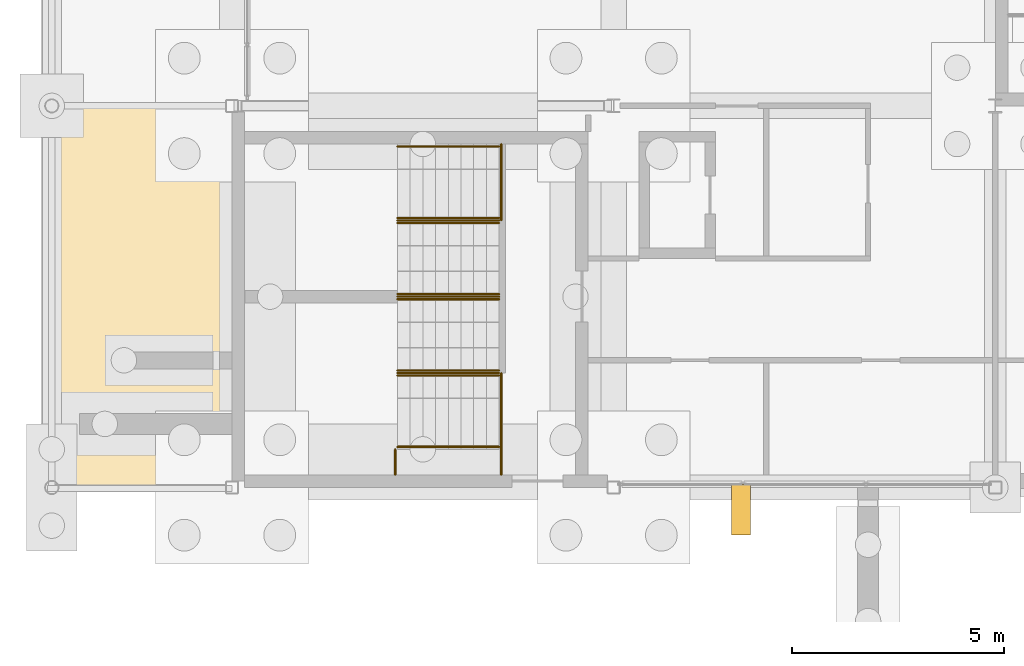
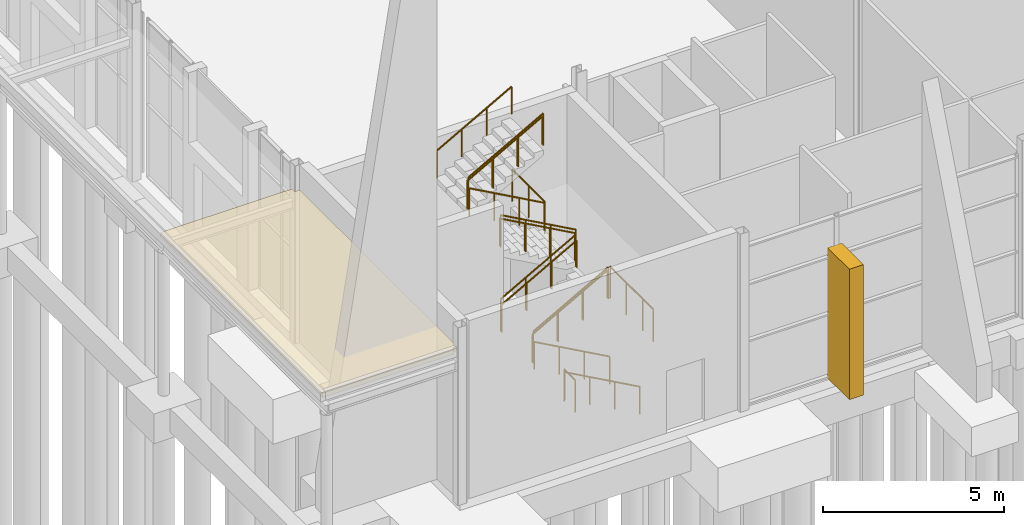
# One storey, part 130 of 139: 16 railings, 1 covering, 1 shading device.
"""IFC4 building model written with IfcOpenShell, lengths in metres."""

from ifc_helpers import new_model, si_unit, direction, frame, origin, origin_2d, place, context, subcontext, project, spatial, polyline, rectangle, circle, outline, extrude, material, layer, layer_set, type_object, element, save


model = new_model("IFC4")

# Units and contexts
model_context = context("Model", 3, precision=1e-05, world=origin(), true_north=direction((0.0, 1.0)))
body_context = subcontext(model_context, "Body", "Model", "MODEL_VIEW")
ifc_project = project(units=[si_unit("LENGTHUNIT", "METRE"), si_unit("AREAUNIT", "SQUARE_METRE"), si_unit("VOLUMEUNIT", "CUBIC_METRE"), si_unit("PLANEANGLEUNIT", "RADIAN"), si_unit("MASSUNIT", "GRAM", prefix="KILO")], contexts=[model_context])

# Site, building, storey
site_placement = place(None, origin())
site = spatial("IfcSite", under=ifc_project, at=site_placement, CompositionType="ELEMENT")
building_placement = place(site_placement, origin())
building = spatial("IfcBuilding", under=site, at=building_placement, Name="Shorebreak Coast Museum", CompositionType="ELEMENT")
storey_placement = place(building_placement, origin())
storey = spatial("IfcBuildingStorey", under=building, at=storey_placement, Name="L00", CompositionType="ELEMENT", Elevation=0.0)

# Covering
ifc_material_1 = material(Name="Growing medium")
ifc_layer_1 = layer(ifc_material_1, 0.14990234375)
ifc_layer_set_1 = layer_set([ifc_layer_1], Name="Growing medium")
covering_type = type_object("IfcCoveringType", Name="Green roof planting 150", PredefinedType="ROOFING", material=ifc_layer_set_1)
covering_placement = place(storey_placement, frame((0.0, 0.0, 5.0)))
element("IfcCovering", 1, at=covering_placement, inside=storey, type_object=covering_type, Name="Green roof planting arcade west 1", PredefinedType="ROOFING", context=body_context, shape_type="SweptSolid", body=[
    extrude(outline(polyline([(-4.35009765625, 54.050048828125), (-4.35009765625, 63.0), (-0.14990234375, 63.0), (-0.14990234375, 62.85009765625), (0.0, 62.85009765625), (0.0, 54.14990234375), (-0.14990234375, 54.14990234375), (-0.14990234375, 54.050048828125), (-4.35009765625, 54.050048828125)])), origin(), (0.0, 0.0, 1.0), 0.14990234375),
])

# Shading device
ifc_material_2 = material(Name="Precast concrete C40/50", Category="concrete")
ifc_layer_2 = layer(ifc_material_2, 0.449951171875)
ifc_layer_set_2 = layer_set([ifc_layer_2], Name="Precast concrete C40/50")
shading_device_type = type_object("IfcShadingDeviceType", Name="Precast blade 450 x 1200", PredefinedType="USERDEFINED", material=ifc_layer_set_2)
shading_device_placement = place(storey_placement, frame((12.0, 53.47509765625, 0.0), z_axis=(0.0, 0.0, 1.0), x_axis=(1.0, 0.0, 0.0)))
element("IfcShadingDevice", 2, at=shading_device_placement, inside=storey, type_object=shading_device_type, Name="Precast blade S2", ObjectType="FIN", PredefinedType="USERDEFINED", context=body_context, shape_type="SweptSolid", body=[
    extrude(rectangle(XDim=0.449951171875, YDim=1.199951171875, at=origin_2d()), origin(), (0.0, 0.0, 1.0), 4.39990234375),
])

# Railings
ifc_material_3 = material(Name="Steel Grade 300", Category="steel")
railing_type_1 = type_object("IfcRailingType", Name="Stair guard 1100", PredefinedType="GUARDRAIL", material=ifc_material_3)
for number, where, name in (
    (3, (6.35009765625, 54.89990234375, 3.0), "Guard ST05 L00 landing mid1"),
    (4, (6.35009765625, 60.300048828125, 3.0), "Guard ST05 L00 landing mid1"),
):
    element("IfcRailing", number, at=place(storey_placement, frame(where)), inside=storey, type_object=railing_type_1, Name=name, PredefinedType="GUARDRAIL", context=body_context, shape_type="SweptSolid", body=[
        extrude(circle(Radius=0.02490234375, at=origin_2d()), frame((0.0, 0.0, 1.0751953125), z_axis=(0.0, 1.0, 0.0), x_axis=(-1.0, 0.0, 0.0)), (0.0, 0.0, 1.0), 1.800048828125),
        extrude(circle(Radius=0.02001953125, at=origin_2d()), origin(), (0.0, 0.0, 1.0), 1.050048828125),
        extrude(circle(Radius=0.02001953125, at=origin_2d()), frame((0.0, 0.89990234375, 0.0)), (0.0, 0.0, 1.0), 1.050048828125),
        extrude(circle(Radius=0.02001953125, at=origin_2d()), frame((0.0, 1.800048828125, 0.0)), (0.0, 0.0, 1.0), 1.050048828125),
    ])
for number, where, name in (
    (5, (6.35009765625, 54.300048828125, 3.0), "Guard ST05 L00 landing strip"),
    (6, (3.85009765625, 54.300048828125, 1.5), "Guard ST05 L00 landing strip"),
):
    element("IfcRailing", number, at=place(storey_placement, frame(where)), inside=storey, type_object=railing_type_1, Name=name, PredefinedType="GUARDRAIL", context=body_context, shape_type="SweptSolid", body=[
        extrude(circle(Radius=0.02490234375, at=origin_2d()), frame((0.0, 0.0, 1.0751953125), z_axis=(0.0, 1.0, 0.0), x_axis=(-1.0, 0.0, 0.0)), (0.0, 0.0, 1.0), 0.599853515625),
        extrude(circle(Radius=0.02001953125, at=origin_2d()), origin(), (0.0, 0.0, 1.0), 1.050048828125),
        extrude(circle(Radius=0.02001953125, at=origin_2d()), frame((0.0, 0.599853515625, 0.0)), (0.0, 0.0, 1.0), 1.050048828125),
    ])
for number, where, name in (
    (7, (3.89990234375, 56.699951171875, 1.666748046875), "Guard ST05-L00 well 1"),
    (8, (3.89990234375, 60.300048828125, 4.666748046875), "Guard ST05-L00 well 2"),
    (9, (3.89990234375, 58.5, 1.666748046875), "Guard ST05-L00 side 1"),
):
    element("IfcRailing", number, at=place(storey_placement, frame(where)), inside=storey, type_object=railing_type_1, Name=name, PredefinedType="GUARDRAIL", context=body_context, shape_type="SweptSolid", body=[
        extrude(circle(Radius=0.02490234375, at=origin_2d()), frame((0.0, 0.0, 1.0751953125), z_axis=(0.874182441271, 0.0, 0.485597631145), x_axis=(0.0, 1.0, 0.0)), (0.0, 0.0, 1.0), 2.74560546875),
        extrude(circle(Radius=0.02001953125, at=origin_2d()), origin(), (0.0, 0.0, 1.0), 1.050048828125),
        extrude(circle(Radius=0.02001953125, at=origin_2d()), frame((0.800048828125, 0.0, 0.4443359375)), (0.0, 0.0, 1.0), 1.050048828125),
        extrude(circle(Radius=0.02001953125, at=origin_2d()), frame((1.60009765625, 0.0, 0.888916015625)), (0.0, 0.0, 1.0), 1.050048828125),
        extrude(circle(Radius=0.02001953125, at=origin_2d()), frame((2.400146484375, 0.0, 1.333251953125)), (0.0, 0.0, 1.0), 1.050048828125),
    ])
railing_placement = place(storey_placement, frame((6.300048828125, 58.5, 3.166748046875)))
element("IfcRailing", 10, at=railing_placement, inside=storey, type_object=railing_type_1, Name="Guard ST05-L00 side 2", PredefinedType="GUARDRAIL", context=body_context, shape_type="SweptSolid", body=[
    extrude(circle(Radius=0.02490234375, at=origin_2d()), frame((0.0, 0.0, 1.0751953125), z_axis=(-0.874182441271, 0.0, 0.485597631145), x_axis=(0.0, -1.0, 0.0)), (0.0, 0.0, 1.0), 2.74560546875),
    extrude(circle(Radius=0.02001953125, at=origin_2d()), origin(), (0.0, 0.0, 1.0), 1.050048828125),
    extrude(circle(Radius=0.02001953125, at=origin_2d()), frame((-0.800048828125, 0.0, 0.4443359375)), (0.0, 0.0, 1.0), 1.050048828125),
    extrude(circle(Radius=0.02001953125, at=origin_2d()), frame((-1.60009765625, 0.0, 0.888916015625)), (0.0, 0.0, 1.0), 1.050048828125),
    extrude(circle(Radius=0.02001953125, at=origin_2d()), frame((-2.400146484375, 0.0, 1.333251953125)), (0.0, 0.0, 1.0), 1.050048828125),
])
ifc_material_4 = material(Name="Steel Grade 300", Category="steel")
railing_type_2 = type_object("IfcRailingType", Name="Stair handrail 950", PredefinedType="HANDRAIL", material=ifc_material_4)
for number, where, name in (
    (11, (6.300048828125, 54.9599609375, 0.166748046875), "Handrail ST05-L00 flight 1a"),
    (12, (6.300048828125, 56.639892578125, 0.166748046875), "Handrail ST05-L00 flight 1b"),
):
    element("IfcRailing", number, at=place(storey_placement, frame(where)), inside=storey, type_object=railing_type_2, Name=name, PredefinedType="HANDRAIL", context=body_context, shape_type="SweptSolid", body=[
        extrude(circle(Radius=0.02490234375, at=origin_2d()), frame((0.0, 0.0, 0.9248046875), z_axis=(-0.874182441271, 0.0, 0.485597631145), x_axis=(0.0, -1.0, 0.0)), (0.0, 0.0, 1.0), 2.74560546875),
        extrude(circle(Radius=0.02001953125, at=origin_2d()), origin(), (0.0, 0.0, 1.0), 0.89990234375),
        extrude(circle(Radius=0.02001953125, at=origin_2d()), frame((-0.800048828125, 0.0, 0.4443359375)), (0.0, 0.0, 1.0), 0.89990234375),
        extrude(circle(Radius=0.02001953125, at=origin_2d()), frame((-1.60009765625, 0.0, 0.888916015625)), (0.0, 0.0, 1.0), 0.89990234375),
        extrude(circle(Radius=0.02001953125, at=origin_2d()), frame((-2.400146484375, 0.0, 1.333251953125)), (0.0, 0.0, 1.0), 0.89990234375),
    ])
for number, where, name in (
    (13, (3.89990234375, 56.760009765625, 1.666748046875), "Handrail ST05-L00 flight 2a"),
    (14, (3.89990234375, 58.43994140625, 1.666748046875), "Handrail ST05-L00 flight 2b"),
):
    element("IfcRailing", number, at=place(storey_placement, frame(where)), inside=storey, type_object=railing_type_2, Name=name, PredefinedType="HANDRAIL", context=body_context, shape_type="SweptSolid", body=[
        extrude(circle(Radius=0.02490234375, at=origin_2d()), frame((0.0, 0.0, 0.9248046875), z_axis=(0.874182441271, 0.0, 0.485597631145), x_axis=(0.0, 1.0, 0.0)), (0.0, 0.0, 1.0), 2.74560546875),
        extrude(circle(Radius=0.02001953125, at=origin_2d()), origin(), (0.0, 0.0, 1.0), 0.89990234375),
        extrude(circle(Radius=0.02001953125, at=origin_2d()), frame((0.800048828125, 0.0, 0.4443359375)), (0.0, 0.0, 1.0), 0.89990234375),
        extrude(circle(Radius=0.02001953125, at=origin_2d()), frame((1.60009765625, 0.0, 0.888916015625)), (0.0, 0.0, 1.0), 0.89990234375),
        extrude(circle(Radius=0.02001953125, at=origin_2d()), frame((2.400146484375, 0.0, 1.333251953125)), (0.0, 0.0, 1.0), 0.89990234375),
    ])
for number, where, name in (
    (15, (6.300048828125, 58.56005859375, 3.166748046875), "Handrail ST05-L00 flight 3a"),
    (16, (6.300048828125, 60.239990234375, 3.166748046875), "Handrail ST05-L00 flight 3b"),
):
    element("IfcRailing", number, at=place(storey_placement, frame(where)), inside=storey, type_object=railing_type_2, Name=name, PredefinedType="HANDRAIL", context=body_context, shape_type="SweptSolid", body=[
        extrude(circle(Radius=0.02490234375, at=origin_2d()), frame((0.0, 0.0, 0.9248046875), z_axis=(-0.874182441271, 0.0, 0.485597631145), x_axis=(0.0, -1.0, 0.0)), (0.0, 0.0, 1.0), 2.74560546875),
        extrude(circle(Radius=0.02001953125, at=origin_2d()), origin(), (0.0, 0.0, 1.0), 0.89990234375),
        extrude(circle(Radius=0.02001953125, at=origin_2d()), frame((-0.800048828125, 0.0, 0.4443359375)), (0.0, 0.0, 1.0), 0.89990234375),
        extrude(circle(Radius=0.02001953125, at=origin_2d()), frame((-1.60009765625, 0.0, 0.888916015625)), (0.0, 0.0, 1.0), 0.89990234375),
        extrude(circle(Radius=0.02001953125, at=origin_2d()), frame((-2.400146484375, 0.0, 1.333251953125)), (0.0, 0.0, 1.0), 0.89990234375),
    ])
for number, where, name in (
    (17, (3.89990234375, 60.360107421875, 4.666748046875), "Handrail ST05-L00 flight 4a"),
    (18, (3.89990234375, 62.0400390625, 4.666748046875), "Handrail ST05-L00 flight 4b"),
):
    element("IfcRailing", number, at=place(storey_placement, frame(where)), inside=storey, type_object=railing_type_2, Name=name, PredefinedType="HANDRAIL", context=body_context, shape_type="SweptSolid", body=[
        extrude(circle(Radius=0.02490234375, at=origin_2d()), frame((0.0, 0.0, 0.9248046875), z_axis=(0.874182441271, 0.0, 0.485597631145), x_axis=(0.0, 1.0, 0.0)), (0.0, 0.0, 1.0), 2.74560546875),
        extrude(circle(Radius=0.02001953125, at=origin_2d()), origin(), (0.0, 0.0, 1.0), 0.89990234375),
        extrude(circle(Radius=0.02001953125, at=origin_2d()), frame((0.800048828125, 0.0, 0.4443359375)), (0.0, 0.0, 1.0), 0.89990234375),
        extrude(circle(Radius=0.02001953125, at=origin_2d()), frame((1.60009765625, 0.0, 0.888916015625)), (0.0, 0.0, 1.0), 0.89990234375),
        extrude(circle(Radius=0.02001953125, at=origin_2d()), frame((2.400146484375, 0.0, 1.333251953125)), (0.0, 0.0, 1.0), 0.89990234375),
    ])

save(model, "model.ifc")
